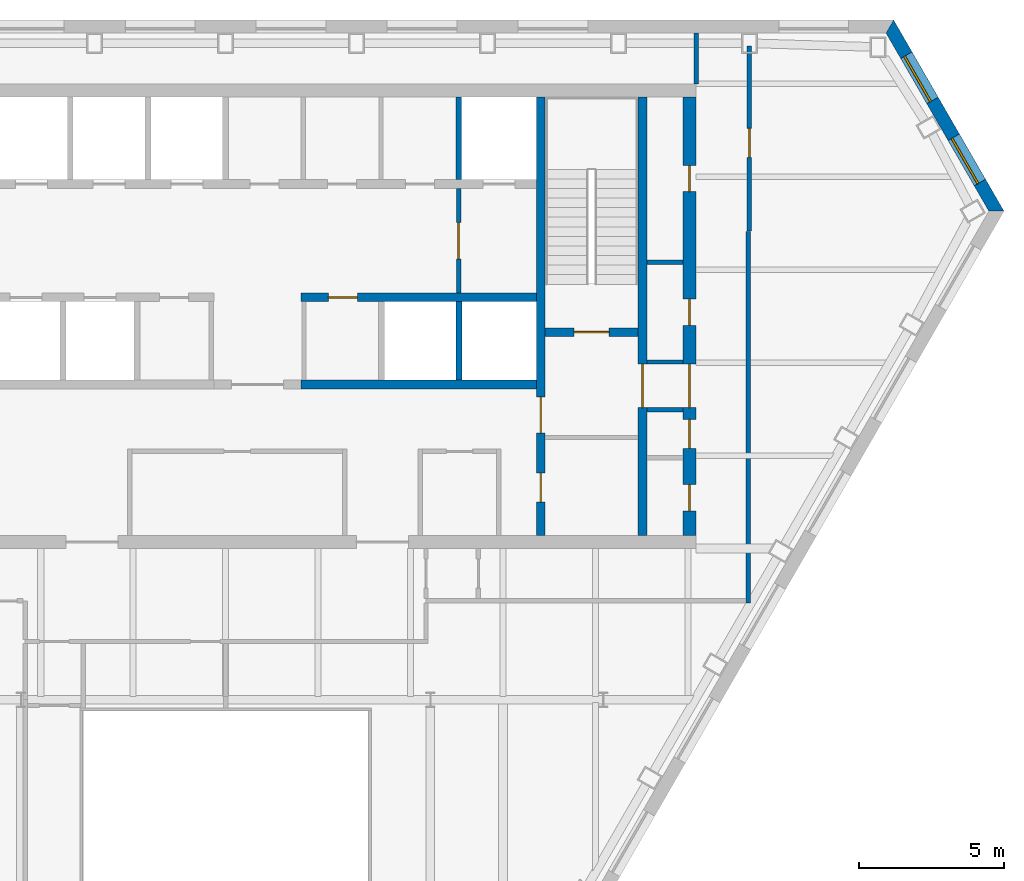
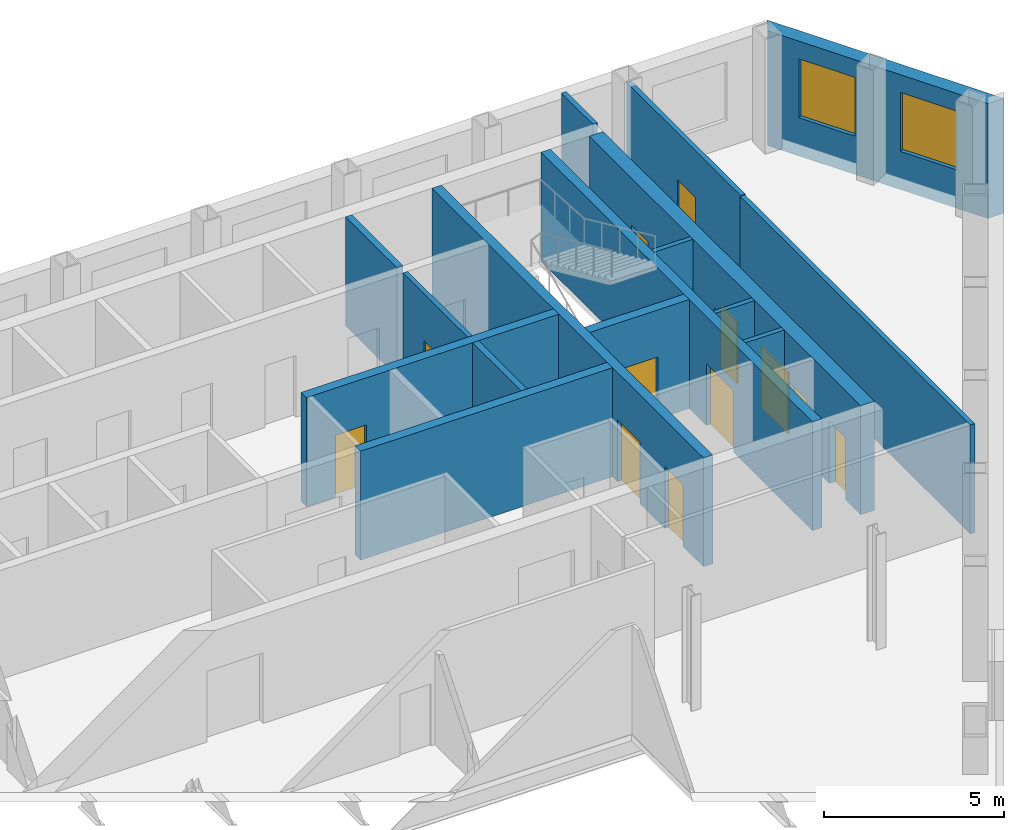
# One storey, part 7 of 10: 16 walls, 12 doors, 2 windows, 14 openings.
"""IFC4 building model written with IfcOpenShell, lengths in metres."""

from ifc_helpers import new_model, si_unit, direction, frame, frame_2d, origin, place, context, subcontext, project, spatial, polyline, rectangle, outline, extrude, material, layer, layer_set, type_object, element, fill, save


model = new_model("IFC4")

# Units and contexts
model_context = context("Model", 3, precision=1e-05, world=origin(), true_north=direction((0.0, 1.0)))
body_context = subcontext(model_context, "Body", "Model", "MODEL_VIEW")
ifc_project = project(units=[si_unit("LENGTHUNIT", "METRE"), si_unit("AREAUNIT", "SQUARE_METRE"), si_unit("VOLUMEUNIT", "CUBIC_METRE"), si_unit("PLANEANGLEUNIT", "RADIAN"), si_unit("MASSUNIT", "GRAM", prefix="KILO")], contexts=[model_context])

# Site, building, storey
site_placement = place(None, origin())
site = spatial("IfcSite", under=ifc_project, at=site_placement, CompositionType="ELEMENT")
building_placement = place(site_placement, origin())
building = spatial("IfcBuilding", under=site, at=building_placement, Name="Njiva Tower", CompositionType="ELEMENT")
storey_placement = place(building_placement, frame((0.0, 0.0, 200.4)))
storey = spatial("IfcBuildingStorey", under=building, at=storey_placement, Name="L44", CompositionType="ELEMENT", Elevation=200.4)

# Wall, openings, doors
ifc_material_1 = material(Name="Concrete C40/50", Category="concrete")
ifc_layer_1 = layer(ifc_material_1, 0.3)
ifc_layer_set_1 = layer_set([ifc_layer_1], Name="Concrete C40/50")
wall_type_1 = type_object("IfcWallType", Name="WT10 Stair enclosure wall 300", PredefinedType="SHEAR", material=ifc_layer_set_1)
wall_1_placement = place(storey_placement, frame((10.85, 2.45, 0.0), z_axis=(0.0, 0.0, 1.0), x_axis=(0.0, 1.0, 0.0)))
wall_1 = element("IfcWall", 1, at=wall_1_placement, inside=storey, type_object=wall_type_1, Name="Stair wall east inner", PredefinedType="SHEAR", context=body_context, shape_type="SweptSolid", body=[
    extrude(rectangle(XDim=15.1, YDim=0.3, at=frame_2d((7.55, 0.0))), origin(), (0.0, 0.0, 1.0), 3.7),
])
opening_1_placement = place(wall_1_placement, frame((3.525, 0.0, 0.0)))
opening_1 = element("IfcOpeningElement", 2, at=opening_1_placement, cuts=wall_1, Name="Opening S14-D920", PredefinedType="OPENING", context=body_context, shape_type="SweptSolid", body=[
    extrude(rectangle(XDim=1.25, YDim=2.1, at=frame_2d((0.625, 1.05))), frame((0.0, 0.16, 0.0), z_axis=(0.0, -1.0, 0.0), x_axis=(1.0, 0.0, 0.0)), (0.0, 0.0, 1.0), 0.32),
])
opening_2_placement = place(wall_1_placement, frame((1.15, 0.0, 0.0)))
opening_2 = element("IfcOpeningElement", 3, at=opening_2_placement, cuts=wall_1, Name="Opening S14-D921", PredefinedType="OPENING", context=body_context, shape_type="SweptSolid", body=[
    extrude(rectangle(XDim=1.0, YDim=2.1, at=frame_2d((0.5, 1.05))), frame((0.0, 0.16, 0.0), z_axis=(0.0, -1.0, 0.0), x_axis=(1.0, 0.0, 0.0)), (0.0, 0.0, 1.0), 0.32),
])
ifc_material_2 = material(Name="Steel door, painted", Category="steel")
door_type_1 = type_object("IfcDoorType", Name="D5 Steel door 1000x2100", OperationType="SINGLE_SWING_LEFT", PredefinedType="DOOR", material=ifc_material_2)
door_1_placement = place(opening_2_placement, origin())
door_1 = element("IfcDoor", 4, at=door_1_placement, inside=storey, type_object=door_type_1, Name="First aid room door", OperationType="SINGLE_SWING_LEFT", OverallHeight=2.1, OverallWidth=1.0, PredefinedType="DOOR", context=body_context, shape_type="SweptSolid", body=[
    extrude(rectangle(XDim=1.0, YDim=2.1, at=frame_2d((0.5, 1.05))), frame((0.0, 0.025, 0.0), z_axis=(0.0, -1.0, 0.0), x_axis=(1.0, 0.0, 0.0)), (0.0, 0.0, 1.0), 0.05),
])
fill(opening_2, door_1)
ifc_material_3 = material(Name="Glazed steel fire door", Category="steel")
door_type_2 = type_object("IfcDoorType", Name="D8 Vestibule corridor door 1250x2100 glazed", OperationType="SINGLE_SWING_LEFT", PredefinedType="DOOR", material=ifc_material_3)
door_2_placement = place(opening_1_placement, origin())
door_2 = element("IfcDoor", 5, at=door_2_placement, inside=storey, type_object=door_type_2, Name="Stair vestibule corridor door", OperationType="SINGLE_SWING_RIGHT", OverallHeight=2.1, OverallWidth=1.25, PredefinedType="DOOR", context=body_context, shape_type="SweptSolid", body=[
    extrude(rectangle(XDim=1.25, YDim=2.1, at=frame_2d((0.625, 1.05))), frame((0.0, 0.025, 0.0), z_axis=(0.0, -1.0, 0.0), x_axis=(1.0, 0.0, 0.0)), (0.0, 0.0, 1.0), 0.05),
])
fill(opening_1, door_2)

# Wall, opening, door
wall_2_placement = place(storey_placement, frame((14.35, 2.45, 0.0), z_axis=(0.0, 0.0, 1.0), x_axis=(0.0, 1.0, 0.0)))
wall_2 = element("IfcWall", 6, at=wall_2_placement, inside=storey, type_object=wall_type_1, Name="Stair wall east outer", PredefinedType="SHEAR", context=body_context, shape_type="SweptSolid", body=[
    extrude(rectangle(XDim=15.1, YDim=0.3, at=frame_2d((7.55, 0.0))), origin(), (0.0, 0.0, 1.0), 3.7),
])
opening_3_placement = place(wall_2_placement, frame((4.4, 0.0, 0.0)))
opening_3 = element("IfcOpeningElement", 7, at=opening_3_placement, cuts=wall_2, Name="Opening S14-D928", PredefinedType="OPENING", context=body_context, shape_type="SweptSolid", body=[
    extrude(rectangle(XDim=1.5, YDim=2.1, at=frame_2d((0.75, 1.05))), frame((0.0, 0.16, 0.0), z_axis=(0.0, -1.0, 0.0), x_axis=(1.0, 0.0, 0.0)), (0.0, 0.0, 1.0), 0.32),
])
door_type_3 = type_object("IfcDoorType", Name="D10 Exit door double 1500x2100 glazed", OperationType="DOUBLE_DOOR_SINGLE_SWING", PredefinedType="DOOR", material=ifc_material_3)
door_3_placement = place(opening_3_placement, origin())
door_3 = element("IfcDoor", 8, at=door_3_placement, inside=storey, type_object=door_type_3, Name="Stair B passage door", OperationType="DOUBLE_DOOR_SINGLE_SWING", OverallHeight=2.1, OverallWidth=1.5, PredefinedType="DOOR", context=body_context, shape_type="SweptSolid", body=[
    extrude(rectangle(XDim=1.5, YDim=2.1, at=frame_2d((0.75, 1.05))), frame((0.0, 0.025, 0.0), z_axis=(0.0, -1.0, 0.0), x_axis=(1.0, 0.0, 0.0)), (0.0, 0.0, 1.0), 0.05),
])
fill(opening_3, door_3)

wall_3_placement = place(storey_placement, frame((11.0, 9.45, 0.0), z_axis=(0.0, 0.0, 1.0), x_axis=(1.0, 0.0, 0.0)))
wall_3 = element("IfcWall", 9, at=wall_3_placement, inside=storey, type_object=wall_type_1, Name="Stair B south wall", PredefinedType="SHEAR", context=body_context, shape_type="SweptSolid", body=[
    extrude(rectangle(XDim=3.2, YDim=0.3, at=frame_2d((1.6, 0.0))), origin(), (0.0, 0.0, 1.0), 3.7),
])
opening_4_placement = place(wall_3_placement, frame((1.0, 0.0, 0.0)))
opening_4 = element("IfcOpeningElement", 10, at=opening_4_placement, cuts=wall_3, Name="Opening S14-D919", PredefinedType="OPENING", context=body_context, shape_type="SweptSolid", body=[
    extrude(rectangle(XDim=1.2, YDim=2.1, at=frame_2d((0.6, 1.05))), frame((0.0, 0.16, 0.0), z_axis=(0.0, -1.0, 0.0), x_axis=(1.0, 0.0, 0.0)), (0.0, 0.0, 1.0), 0.32),
])
door_type_4 = type_object("IfcDoorType", Name="D7 Stair vestibule door 1200x2100 glazed", OperationType="SINGLE_SWING_LEFT", PredefinedType="DOOR", material=ifc_material_3)
door_4_placement = place(opening_4_placement, origin())
door_4 = element("IfcDoor", 11, at=door_4_placement, inside=storey, type_object=door_type_4, Name="Stair B door", OperationType="SINGLE_SWING_LEFT", OverallHeight=2.1, OverallWidth=1.2, PredefinedType="DOOR", context=body_context, shape_type="SweptSolid", body=[
    extrude(rectangle(XDim=1.2, YDim=2.1, at=frame_2d((0.6, 1.05))), frame((0.0, 0.025, 0.0), z_axis=(0.0, -1.0, 0.0), x_axis=(1.0, 0.0, 0.0)), (0.0, 0.0, 1.0), 0.05),
])
fill(opening_4, door_4)

# Wall, openings, doors
ifc_material_4 = material(Name="Concrete C60/75", Category="concrete")
ifc_layer_2 = layer(ifc_material_4, 0.45)
ifc_layer_set_2 = layer_set([ifc_layer_2], Name="Concrete C60/75")
wall_type_2 = type_object("IfcWallType", Name="WT12 Core wall 450", PredefinedType="SHEAR", material=ifc_layer_set_2)
wall_4_placement = place(storey_placement, frame((15.975, 2.45, 0.0), z_axis=(0.0, 0.0, 1.0), x_axis=(0.0, 1.0, 0.0)))
wall_4 = element("IfcWall", 12, at=wall_4_placement, inside=storey, type_object=wall_type_2, Name="Core wall east", PredefinedType="SHEAR", context=body_context, shape_type="SweptSolid", body=[
    extrude(rectangle(XDim=15.1, YDim=0.45, at=frame_2d((7.55, 0.0))), origin(), (0.0, 0.0, 1.0), 3.7),
])
opening_5_placement = place(wall_4_placement, frame((4.4, 0.0, 0.0)))
opening_5 = element("IfcOpeningElement", 13, at=opening_5_placement, cuts=wall_4, Name="Opening S14-D929", PredefinedType="OPENING", context=body_context, shape_type="SweptSolid", body=[
    extrude(rectangle(XDim=1.5, YDim=2.1, at=frame_2d((0.75, 1.05))), frame((0.0, 0.235, 0.0), z_axis=(0.0, -1.0, 0.0), x_axis=(1.0, 0.0, 0.0)), (0.0, 0.0, 1.0), 0.47),
])
opening_6_placement = place(wall_4_placement, frame((0.85, 0.0, 0.0)))
opening_6 = element("IfcOpeningElement", 14, at=opening_6_placement, cuts=wall_4, Name="Opening S14-D930", PredefinedType="OPENING", context=body_context, shape_type="SweptSolid", body=[
    extrude(rectangle(XDim=0.9, YDim=2.1, at=frame_2d((0.45, 1.05))), frame((0.0, 0.235, 0.0), z_axis=(0.0, -1.0, 0.0), x_axis=(1.0, 0.0, 0.0)), (0.0, 0.0, 1.0), 0.47),
])
opening_7_placement = place(wall_4_placement, frame((3.0, 0.0, 0.0)))
opening_7 = element("IfcOpeningElement", 15, at=opening_7_placement, cuts=wall_4, Name="Opening S14-D931", PredefinedType="OPENING", context=body_context, shape_type="SweptSolid", body=[
    extrude(rectangle(XDim=1.0, YDim=2.1, at=frame_2d((0.5, 1.05))), frame((0.0, 0.235, 0.0), z_axis=(0.0, -1.0, 0.0), x_axis=(1.0, 0.0, 0.0)), (0.0, 0.0, 1.0), 0.47),
])
opening_8_placement = place(wall_4_placement, frame((7.2395, 0.0, 0.0)))
opening_8 = element("IfcOpeningElement", 16, at=opening_8_placement, cuts=wall_4, Name="Opening S14-D932", PredefinedType="OPENING", context=body_context, shape_type="SweptSolid", body=[
    extrude(rectangle(XDim=0.9, YDim=2.1, at=frame_2d((0.45, 1.05))), frame((0.0, 0.235, 0.0), z_axis=(0.0, -1.0, 0.0), x_axis=(1.0, 0.0, 0.0)), (0.0, 0.0, 1.0), 0.47),
])
opening_9_placement = place(wall_4_placement, frame((11.8395, 0.0, 0.0)))
opening_9 = element("IfcOpeningElement", 17, at=opening_9_placement, cuts=wall_4, Name="Opening S14-D933", PredefinedType="OPENING", context=body_context, shape_type="SweptSolid", body=[
    extrude(rectangle(XDim=0.9, YDim=2.1, at=frame_2d((0.45, 1.05))), frame((0.0, 0.235, 0.0), z_axis=(0.0, -1.0, 0.0), x_axis=(1.0, 0.0, 0.0)), (0.0, 0.0, 1.0), 0.47),
])
door_5_placement = place(opening_5_placement, origin())
door_5 = element("IfcDoor", 18, at=door_5_placement, inside=storey, type_object=door_type_3, Name="Stair B corridor door", OperationType="DOUBLE_DOOR_SINGLE_SWING", OverallHeight=2.1, OverallWidth=1.5, PredefinedType="DOOR", context=body_context, shape_type="SweptSolid", body=[
    extrude(rectangle(XDim=1.5, YDim=2.1, at=frame_2d((0.75, 1.05))), frame((0.0, 0.025, 0.0), z_axis=(0.0, -1.0, 0.0), x_axis=(1.0, 0.0, 0.0)), (0.0, 0.0, 1.0), 0.05),
])
fill(opening_5, door_5)
door_type_5 = type_object("IfcDoorType", Name="D4 Riser door 900x2100", OperationType="SINGLE_SWING_LEFT", PredefinedType="DOOR", material=ifc_material_2)
door_6_placement = place(opening_8_placement, origin())
door_6 = element("IfcDoor", 19, at=door_6_placement, inside=storey, type_object=door_type_5, Name="Cable riser door", OperationType="SINGLE_SWING_RIGHT", OverallHeight=2.1, OverallWidth=0.9, PredefinedType="DOOR", context=body_context, shape_type="SweptSolid", body=[
    extrude(rectangle(XDim=0.9, YDim=2.1, at=frame_2d((0.45, 1.05))), frame((0.0, 0.025, 0.0), z_axis=(0.0, -1.0, 0.0), x_axis=(1.0, 0.0, 0.0)), (0.0, 0.0, 1.0), 0.05),
])
fill(opening_8, door_6)
door_7_placement = place(opening_7_placement, origin())
door_7 = element("IfcDoor", 20, at=door_7_placement, inside=storey, type_object=door_type_1, Name="Telecoms room door", OperationType="SINGLE_SWING_LEFT", OverallHeight=2.1, OverallWidth=1.0, PredefinedType="DOOR", context=body_context, shape_type="SweptSolid", body=[
    extrude(rectangle(XDim=1.0, YDim=2.1, at=frame_2d((0.5, 1.05))), frame((0.0, 0.025, 0.0), z_axis=(0.0, -1.0, 0.0), x_axis=(1.0, 0.0, 0.0)), (0.0, 0.0, 1.0), 0.05),
])
fill(opening_7, door_7)
ifc_material_5 = material(Name="Steel fire door, painted", Category="steel")
door_type_6 = type_object("IfcDoorType", Name="D6 Fire-rated door 900x2100", OperationType="SINGLE_SWING_LEFT", PredefinedType="DOOR", material=ifc_material_5)
door_8_placement = place(opening_6_placement, origin())
door_8 = element("IfcDoor", 21, at=door_8_placement, inside=storey, type_object=door_type_6, Name="Cable store door", OperationType="SINGLE_SWING_LEFT", OverallHeight=2.1, OverallWidth=0.9, PredefinedType="DOOR", context=body_context, shape_type="SweptSolid", body=[
    extrude(rectangle(XDim=0.9, YDim=2.1, at=frame_2d((0.45, 1.05))), frame((0.0, 0.025, 0.0), z_axis=(0.0, -1.0, 0.0), x_axis=(1.0, 0.0, 0.0)), (0.0, 0.0, 1.0), 0.05),
])
fill(opening_6, door_8)
door_9_placement = place(opening_9_placement, origin())
door_9 = element("IfcDoor", 22, at=door_9_placement, inside=storey, type_object=door_type_6, Name="Cable store door", OperationType="SINGLE_SWING_RIGHT", OverallHeight=2.1, OverallWidth=0.9, PredefinedType="DOOR", context=body_context, shape_type="SweptSolid", body=[
    extrude(rectangle(XDim=0.9, YDim=2.1, at=frame_2d((0.45, 1.05))), frame((0.0, 0.025, 0.0), z_axis=(0.0, -1.0, 0.0), x_axis=(1.0, 0.0, 0.0)), (0.0, 0.0, 1.0), 0.05),
])
fill(opening_9, door_9)

# Wall, opening, door
ifc_material_6 = material(Name="Blockwork", Category="masonry")
ifc_layer_3 = layer(ifc_material_6, 0.15)
ifc_layer_set_3 = layer_set([ifc_layer_3], Name="Blockwork")
wall_type_3 = type_object("IfcWallType", Name="WT2 Lobby partition 150", PredefinedType="PARTITIONING", material=ifc_layer_set_3)
wall_5_placement = place(storey_placement, frame((8.025, 10.8, 0.0), z_axis=(0.0, 0.0, 1.0), x_axis=(0.0, 1.0, 0.0)))
wall_5 = element("IfcWall", 23, at=wall_5_placement, inside=storey, type_object=wall_type_3, Name="Firefighting lobby wall B", PredefinedType="PARTITIONING", context=body_context, shape_type="SweptSolid", body=[
    extrude(rectangle(XDim=3.6, YDim=0.15, at=frame_2d((1.8, 0.0))), origin(), (0.0, 0.0, 1.0), 3.7),
])
opening_10_placement = place(wall_5_placement, frame((1.175, 0.0, 0.0)))
opening_10 = element("IfcOpeningElement", 24, at=opening_10_placement, cuts=wall_5, Name="Opening S14-D918", PredefinedType="OPENING", context=body_context, shape_type="SweptSolid", body=[
    extrude(rectangle(XDim=1.25, YDim=2.1, at=frame_2d((0.625, 1.05))), frame((0.0, 0.085, 0.0), z_axis=(0.0, -1.0, 0.0), x_axis=(1.0, 0.0, 0.0)), (0.0, 0.0, 1.0), 0.17),
])
door_10_placement = place(opening_10_placement, origin())
door_10 = element("IfcDoor", 25, at=door_10_placement, inside=storey, type_object=door_type_2, Name="Stair vestibule corridor door", OperationType="SINGLE_SWING_LEFT", OverallHeight=2.1, OverallWidth=1.25, PredefinedType="DOOR", context=body_context, shape_type="SweptSolid", body=[
    extrude(rectangle(XDim=1.25, YDim=2.1, at=frame_2d((0.625, 1.05))), frame((0.0, 0.025, 0.0), z_axis=(0.0, -1.0, 0.0), x_axis=(1.0, 0.0, 0.0)), (0.0, 0.0, 1.0), 0.05),
])
fill(opening_10, door_10)

# Walls
ifc_material_7 = material(Name="Gypsum board on steel studs", Category="gypsum")
ifc_layer_4 = layer(ifc_material_7, 0.15)
ifc_layer_set_4 = layer_set([ifc_layer_4], Name="Gypsum board on steel studs")
wall_type_4 = type_object("IfcWallType", Name="WT21 Compartment wall 150", PredefinedType="PARTITIONING", material=ifc_layer_set_4)
wall_6_placement = place(storey_placement, frame((16.2, 18.0, 0.0), z_axis=(0.0, 0.0, 1.0), x_axis=(0.0, 1.0, 0.0)))
element("IfcWall", 26, at=wall_6_placement, inside=storey, type_object=wall_type_4, Name="Partition S14-P025", PredefinedType="PARTITIONING", context=body_context, shape_type="SweptSolid", body=[
    extrude(rectangle(XDim=1.75, YDim=0.15, at=frame_2d((0.875, 0.0))), origin(), (0.0, 0.0, 1.0), 3.7),
])
wall_7_placement = place(storey_placement, frame((18.0, 0.125, 0.0), z_axis=(0.0, 0.0, 1.0), x_axis=(0.0, 1.0, 0.0)))
element("IfcWall", 27, at=wall_7_placement, inside=storey, type_object=wall_type_4, Name="Partition S14-P026", PredefinedType="PARTITIONING", context=body_context, shape_type="SweptSolid", body=[
    extrude(rectangle(XDim=12.8, YDim=0.15, at=frame_2d((6.4, 0.0))), origin(), (0.0, 0.0, 1.0), 3.7),
])

# Wall, opening, door
wall_8_placement = place(storey_placement, frame((18.031, 12.943, 0.0), z_axis=(0.0, 0.0, 1.0), x_axis=(0.0, 1.0, 0.0)))
wall_8 = element("IfcWall", 28, at=wall_8_placement, inside=storey, type_object=wall_type_4, Name="Partition S14-P027", PredefinedType="PARTITIONING", context=body_context, shape_type="SweptSolid", body=[
    extrude(rectangle(XDim=6.357, YDim=0.15, at=frame_2d((3.1785, 0.0))), origin(), (0.0, 0.0, 1.0), 3.7),
])
opening_11_placement = place(wall_8_placement, frame((2.527, 0.0, 0.0)))
opening_11 = element("IfcOpeningElement", 29, at=opening_11_placement, cuts=wall_8, Name="Opening S14-D012", PredefinedType="OPENING", context=body_context, shape_type="SweptSolid", body=[
    extrude(rectangle(XDim=1.0, YDim=2.1, at=frame_2d((0.5, 1.05))), frame((0.0, 0.085, 0.0), z_axis=(0.0, -1.0, 0.0), x_axis=(1.0, 0.0, 0.0)), (0.0, 0.0, 1.0), 0.17),
])
ifc_material_8 = material(Name="Steel fire door set", Category="steel")
door_type_7 = type_object("IfcDoorType", Name="D37 Fire door 1000x2100", OperationType="SINGLE_SWING_LEFT", PredefinedType="DOOR", material=ifc_material_8)
door_11_placement = place(opening_11_placement, origin())
door_11 = element("IfcDoor", 30, at=door_11_placement, inside=storey, type_object=door_type_7, Name="Door S14-D012", OperationType="SINGLE_SWING_LEFT", OverallHeight=2.1, OverallWidth=1.0, PredefinedType="DOOR", context=body_context, shape_type="SweptSolid", body=[
    extrude(rectangle(XDim=1.0, YDim=2.1, at=frame_2d((0.5, 1.05))), frame((0.0, 0.025, 0.0), z_axis=(0.0, -1.0, 0.0), x_axis=(1.0, 0.0, 0.0)), (0.0, 0.0, 1.0), 0.05),
])
fill(opening_11, door_11)

# Walls
ifc_layer_5 = layer(ifc_material_6, 0.15)
ifc_layer_set_5 = layer_set([ifc_layer_5], Name="Blockwork")
wall_type_5 = type_object("IfcWallType", Name="WT3 Riser partition 150", PredefinedType="PARTITIONING", material=ifc_layer_set_5)
wall_9_placement = place(storey_placement, frame((14.5, 11.8539, 0.0), z_axis=(0.0, 0.0, 1.0), x_axis=(1.0, 0.0, 0.0)))
element("IfcWall", 31, at=wall_9_placement, inside=storey, type_object=wall_type_5, Name="Partition strip E10", PredefinedType="PARTITIONING", context=body_context, shape_type="SweptSolid", body=[
    extrude(rectangle(XDim=1.25, YDim=0.15, at=frame_2d((0.625, 0.0))), origin(), (0.0, 0.0, 1.0), 3.7),
])
ifc_layer_6 = layer(ifc_material_6, 0.15)
ifc_layer_set_6 = layer_set([ifc_layer_6], Name="Blockwork")
wall_type_6 = type_object("IfcWallType", Name="WT4 Stair partition 150", PredefinedType="PARTITIONING", material=ifc_layer_set_6)
for number, where, z_axis, x_axis, name in (
    (32, (14.5, 6.775, 0.0), (0.0, 0.0, 1.0), (1.0, 0.0, 0.0), "Stair B exit passage wall south"),
    (33, (14.5, 8.425, 0.0), (0.0, 0.0, 1.0), (1.0, 0.0, 0.0), "Stair B exit passage wall north"),
):
    element("IfcWall", number, at=place(storey_placement, frame(where, z_axis=z_axis, x_axis=x_axis)), inside=storey, type_object=wall_type_6, Name=name, PredefinedType="PARTITIONING", context=body_context, shape_type="SweptSolid", body=[
        extrude(rectangle(XDim=1.25, YDim=0.15, at=frame_2d((0.625, 0.0))), origin(), (0.0, 0.0, 1.0), 3.7),
    ])
ifc_layer_7 = layer(ifc_material_1, 0.2)
ifc_layer_set_7 = layer_set([ifc_layer_7], Name="Concrete C40/50")
wall_type_7 = type_object("IfcWallType", Name="WT6 Lift shaft wall 200", PredefinedType="SHEAR", material=ifc_layer_set_7)
wall_10_placement = place(storey_placement, frame((8.025, 14.7, 0.0), z_axis=(0.0, 0.0, 1.0), x_axis=(0.0, 1.0, 0.0)))
element("IfcWall", 34, at=wall_10_placement, inside=storey, type_object=wall_type_7, Name="Shaft wall CN7", PredefinedType="SHEAR", context=body_context, shape_type="SweptSolid", body=[
    extrude(rectangle(XDim=2.85, YDim=0.2, at=frame_2d((1.425, 0.0))), origin(), (0.0, 0.0, 1.0), 3.7),
])
wall_11_placement = place(storey_placement, frame((8.0333, 7.8, 0.0), z_axis=(0.0, 0.0, 1.0), x_axis=(0.0, 1.0, 0.0)))
element("IfcWall", 35, at=wall_11_placement, inside=storey, type_object=wall_type_7, Name="Shaft wall CS7", PredefinedType="SHEAR", context=body_context, shape_type="SweptSolid", body=[
    extrude(rectangle(XDim=2.7, YDim=0.2, at=frame_2d((1.35, 0.0))), origin(), (0.0, 0.0, 1.0), 3.7),
])

# Wall, opening, door
ifc_layer_8 = layer(ifc_material_1, 0.3)
ifc_layer_set_8 = layer_set([ifc_layer_8], Name="Concrete C40/50")
wall_type_8 = type_object("IfcWallType", Name="WT7 Lift shaft wall 300", PredefinedType="SHEAR", material=ifc_layer_set_8)
wall_12_placement = place(storey_placement, frame((2.6, 10.65, 0.0), z_axis=(0.0, 0.0, 1.0), x_axis=(1.0, 0.0, 0.0)))
wall_12 = element("IfcWall", 36, at=wall_12_placement, inside=storey, type_object=wall_type_8, Name="Shaft wall south row lobby side E", PredefinedType="SHEAR", context=body_context, shape_type="SweptSolid", body=[
    extrude(rectangle(XDim=8.1, YDim=0.3, at=frame_2d((4.05, 0.0))), origin(), (0.0, 0.0, 1.0), 3.7),
])
opening_12_placement = place(wall_12_placement, frame((0.9334, 0.0, 0.0)))
opening_12 = element("IfcOpeningElement", 37, at=opening_12_placement, cuts=wall_12, Name="Opening S14-D913", PredefinedType="OPENING", context=body_context, shape_type="SweptSolid", body=[
    extrude(rectangle(XDim=1.0, YDim=2.1, at=frame_2d((0.5, 1.05))), frame((0.0, 0.16, 0.0), z_axis=(0.0, -1.0, 0.0), x_axis=(1.0, 0.0, 0.0)), (0.0, 0.0, 1.0), 0.32),
])
door_12_placement = place(opening_12_placement, origin())
door_12 = element("IfcDoor", 38, at=door_12_placement, inside=storey, type_object=door_type_1, Name="Prayer room door", OperationType="SINGLE_SWING_LEFT", OverallHeight=2.1, OverallWidth=1.0, PredefinedType="DOOR", context=body_context, shape_type="SweptSolid", body=[
    extrude(rectangle(XDim=1.0, YDim=2.1, at=frame_2d((0.5, 1.05))), frame((0.0, 0.025, 0.0), z_axis=(0.0, -1.0, 0.0), x_axis=(1.0, 0.0, 0.0)), (0.0, 0.0, 1.0), 0.05),
])
fill(opening_12, door_12)

# Wall
wall_13_placement = place(storey_placement, frame((2.6, 7.65, 0.0), z_axis=(0.0, 0.0, 1.0), x_axis=(1.0, 0.0, 0.0)))
element("IfcWall", 39, at=wall_13_placement, inside=storey, type_object=wall_type_8, Name="Shaft wall south row back E", PredefinedType="SHEAR", context=body_context, shape_type="SweptSolid", body=[
    extrude(rectangle(XDim=8.1, YDim=0.3, at=frame_2d((4.05, 0.0))), origin(), (0.0, 0.0, 1.0), 3.7),
])

# Wall, openings, windows
ifc_material_9 = material(Name="Brick masonry, buff", Category="masonry")
ifc_layer_9 = layer(ifc_material_9, 0.45)
ifc_layer_set_9 = layer_set([ifc_layer_9], Name="Brick masonry, buff")
wall_type_9 = type_object("IfcWallType", Name="WT94 Brick pier and spandrel wall 450, buff", PredefinedType="SOLIDWALL", material=ifc_layer_set_9)
wall_14_placement = place(storey_placement, frame((26.5402, 13.6182, -0.4), z_axis=(0.0, 0.0, 1.0), x_axis=(-0.499999980465, 0.866025415063, 0.0)))
wall_14 = element("IfcWall", 40, at=wall_14_placement, inside=storey, type_object=wall_type_9, Name="Facade wall NE", PredefinedType="SOLIDWALL", context=body_context, shape_type="SweptSolid", body=[
    extrude(outline(polyline([(-0.1299, -0.225), (7.4701, -0.225), (7.2103, 0.225), (0.1299, 0.225), (-0.1299, -0.225)])), origin(), (0.0, 0.0, 1.0), 3.9),
])
opening_13_placement = place(wall_14_placement, frame((1.1394, 0.0, 1.3)))
opening_13 = element("IfcOpeningElement", 41, at=opening_13_placement, cuts=wall_14, Name="Opening S14-W33", PredefinedType="OPENING", context=body_context, shape_type="SweptSolid", body=[
    extrude(rectangle(XDim=1.8, YDim=2.0, at=frame_2d((0.9, 1.0))), frame((0.0, 0.235, 0.0), z_axis=(0.0, -1.0, 0.0), x_axis=(1.0, 0.0, 0.0)), (0.0, 0.0, 1.0), 0.47),
])
opening_14_placement = place(wall_14_placement, frame((4.4007, 0.0, 1.3)))
opening_14 = element("IfcOpeningElement", 42, at=opening_14_placement, cuts=wall_14, Name="Opening S14-W34", PredefinedType="OPENING", context=body_context, shape_type="SweptSolid", body=[
    extrude(rectangle(XDim=1.8, YDim=2.0, at=frame_2d((0.9, 1.0))), frame((0.0, 0.235, 0.0), z_axis=(0.0, -1.0, 0.0), x_axis=(1.0, 0.0, 0.0)), (0.0, 0.0, 1.0), 0.47),
])
ifc_material_10 = material(Name="Clear glazing in aluminium frame", Category="aluminium")
window_type = type_object("IfcWindowType", Name="W94 Deep-set window 1800x2000", PartitioningType="SINGLE_PANEL", PredefinedType="WINDOW", material=ifc_material_10)
window_1_placement = place(opening_13_placement, origin())
window_1 = element("IfcWindow", 43, at=window_1_placement, inside=storey, type_object=window_type, Name="Window", OverallHeight=2.0, OverallWidth=1.8, PartitioningType="SINGLE_PANEL", PredefinedType="WINDOW", context=body_context, shape_type="SweptSolid", body=[
    extrude(rectangle(XDim=1.8, YDim=2.0, at=frame_2d((0.9, 1.0))), frame((0.0, 0.105, 0.0), z_axis=(0.0, -1.0, 0.0), x_axis=(1.0, 0.0, 0.0)), (0.0, 0.0, 1.0), 0.06),
])
fill(opening_13, window_1)
window_2_placement = place(opening_14_placement, origin())
window_2 = element("IfcWindow", 44, at=window_2_placement, inside=storey, type_object=window_type, Name="Window", OverallHeight=2.0, OverallWidth=1.8, PartitioningType="SINGLE_PANEL", PredefinedType="WINDOW", context=body_context, shape_type="SweptSolid", body=[
    extrude(rectangle(XDim=1.8, YDim=2.0, at=frame_2d((0.9, 1.0))), frame((0.0, 0.105, 0.0), z_axis=(0.0, -1.0, 0.0), x_axis=(1.0, 0.0, 0.0)), (0.0, 0.0, 1.0), 0.06),
])
fill(opening_14, window_2)

save(model, "model.ifc")
